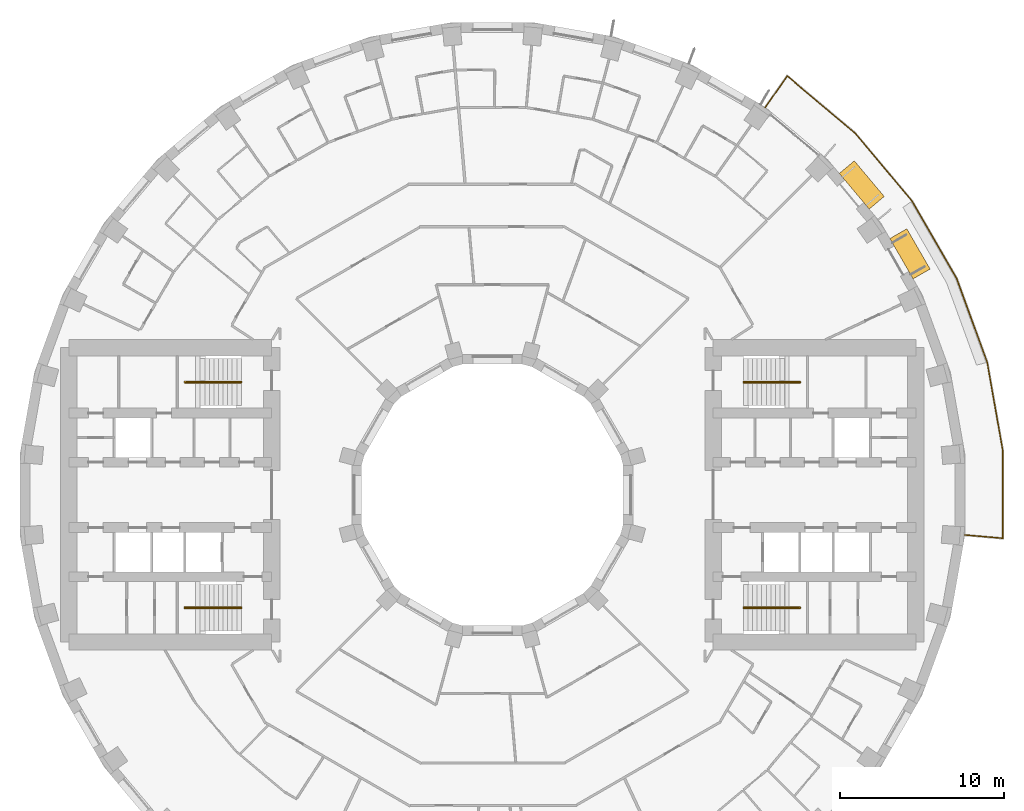
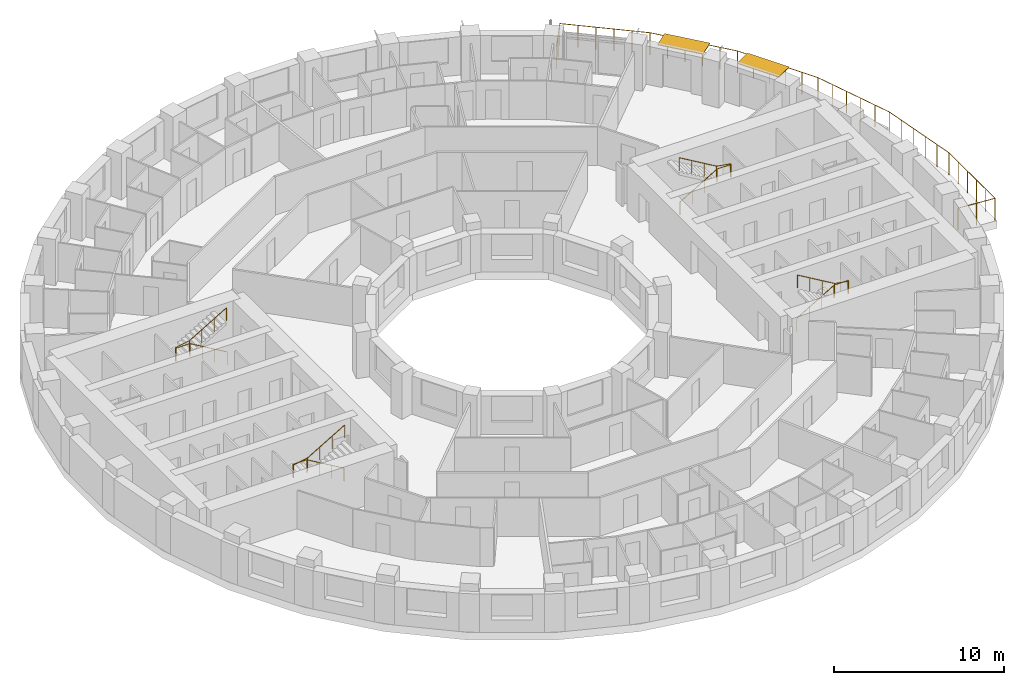
# One storey, part 15 of 15: 5 railings, 2 shading devices.
"""IFC4 building model written with IfcOpenShell, lengths in metres."""

from ifc_helpers import new_model, si_unit, direction, frame, origin, origin_2d, place, context, subcontext, project, spatial, rectangle, circle, extrude, material, layer, layer_set, type_object, element, save


model = new_model("IFC4")

# Units and contexts
model_context = context("Model", 3, precision=1e-05, world=origin(), true_north=direction((0.0, 1.0)))
body_context = subcontext(model_context, "Body", "Model", "MODEL_VIEW")
ifc_project = project(units=[si_unit("LENGTHUNIT", "METRE"), si_unit("AREAUNIT", "SQUARE_METRE"), si_unit("VOLUMEUNIT", "CUBIC_METRE"), si_unit("PLANEANGLEUNIT", "RADIAN"), si_unit("MASSUNIT", "GRAM", prefix="KILO")], contexts=[model_context])

# Site, building, storey
site_placement = place(None, origin())
site = spatial("IfcSite", under=ifc_project, at=site_placement, CompositionType="ELEMENT")
building_placement = place(site_placement, origin())
building = spatial("IfcBuilding", under=site, at=building_placement, Name="Saqina Gate Tower", CompositionType="ELEMENT")
storey_placement = place(building_placement, frame((0.0, 0.0, 62.60009765625)))
storey = spatial("IfcBuildingStorey", under=building, at=storey_placement, Name="L17", CompositionType="ELEMENT", Elevation=62.60009765625)

# Shading devices
ifc_material_1 = material(Name="Aluminium and fabric awning", Category="aluminium")
ifc_layer = layer(ifc_material_1, 0.050048828125)
ifc_layer_set = layer_set([ifc_layer], Name="AW-TERRACE")
shading_device_type = type_object("IfcShadingDeviceType", Name="AW-TERRACE", PredefinedType="AWNING", material=ifc_layer_set)
for number, where, z_axis, x_axis, name in (
    (1, (25.538818359375, 14.744873046875, 2.52490234375), (0.0, 0.0, 1.0), (-0.5, 0.866025403784, 0.0), "Terrace awning L17 facet 3"),
    (2, (22.59033203125, 18.95556640625, 2.52490234375), (0.0, 0.0, 1.0), (-0.642787609687, 0.766044443119, 0.0), "Terrace awning L17 facet 4"),
):
    element("IfcShadingDevice", number, at=place(storey_placement, frame(where, z_axis=z_axis, x_axis=x_axis)), inside=storey, type_object=shading_device_type, Name=name, PredefinedType="AWNING", context=body_context, shape_type="SweptSolid", body=[
        extrude(rectangle(XDim=2.845703125, YDim=1.199951171875, at=origin_2d()), origin(), (0.0, 0.0, 1.0), 0.050048828125),
    ])

# Railings
ifc_material_2 = material(Name="Stainless steel", Category="steel")
railing_type_1 = type_object("IfcRailingType", Name="RL-TERRACE", PredefinedType="GUARDRAIL", material=ifc_material_2)
railing_1_placement = place(storey_placement, frame((28.8369140625, -2.442626953125, 0.0)))
element("IfcRailing", 3, at=railing_1_placement, inside=storey, type_object=railing_type_1, Name="Terrace guard L17", PredefinedType="GUARDRAIL", context=body_context, shape_type="SweptSolid", body=[
    extrude(circle(Radius=0.02392578125, at=origin_2d()), frame((0.0, 0.0, 1.576171875), z_axis=(0.996192497087, -0.087180896688, 0.0), x_axis=(0.087180896688, 0.996192497087, 0.0)), (0.0, 0.0, 1.0), 2.388671875),
    extrude(circle(Radius=0.02392578125, at=origin_2d()), frame((2.379638671875, -0.208251953125, 1.576171875), z_axis=(-0.001270301126, 0.999999193167, 0.0), x_axis=(-0.999999193167, -0.001270301126, 0.0)), (0.0, 0.0, 1.0), 5.38134765625),
    extrude(circle(Radius=0.02392578125, at=origin_2d()), frame((2.372802734375, 5.173095703125, 1.576171875), z_axis=(-0.17364250929, 0.984808752483, 0.0), x_axis=(-0.984808752483, -0.17364250929, 0.0)), (0.0, 0.0, 1.0), 5.4609375),
    extrude(circle(Radius=0.02392578125, at=origin_2d()), frame((1.424560546875, 10.551025390625, 1.576171875), z_axis=(-0.342048157644, 0.939682423935, 0.0), x_axis=(-0.939682423935, -0.342048157644, 0.0)), (0.0, 0.0, 1.0), 5.4609375),
    extrude(circle(Radius=0.02392578125, at=origin_2d()), frame((-0.443359375, 15.6826171875, 1.576171875), z_axis=(-0.499985602051, 0.866033716285, 0.0), x_axis=(-0.866033716285, -0.499985602051, 0.0)), (0.0, 0.0, 1.0), 5.461181640625),
    extrude(circle(Radius=0.02392578125, at=origin_2d()), frame((-3.173828125, 20.412109375, 1.576171875), z_axis=(-0.642788339532, 0.766043830705, 0.0), x_axis=(-0.766043830705, -0.642788339532, 0.0)), (0.0, 0.0, 1.0), 5.4609375),
    extrude(circle(Radius=0.02392578125, at=origin_2d()), frame((-6.68408203125, 24.595458984375, 1.576171875), z_axis=(-0.76521934714, 0.643769641069, 0.0), x_axis=(-0.643769641069, -0.76521934714, 0.0)), (0.0, 0.0, 1.0), 5.38134765625),
    extrude(circle(Radius=0.02392578125, at=origin_2d()), frame((-10.802001953125, 28.059814453125, 1.576171875), z_axis=(-0.573565229124, -0.819159891559, 0.0), x_axis=(0.819159891559, -0.573565229124, 0.0)), (0.0, 0.0, 1.0), 2.388671875),
    extrude(circle(Radius=0.02099609375, at=origin_2d()), origin(), (0.0, 0.0, 1.0), 1.552001953125),
    extrude(circle(Radius=0.02099609375, at=origin_2d()), frame((1.18994140625, -0.10400390625, 0.0)), (0.0, 0.0, 1.0), 1.552001953125),
    extrude(circle(Radius=0.02099609375, at=origin_2d()), frame((2.379638671875, -0.208251953125, 0.0)), (0.0, 0.0, 1.0), 1.552001953125),
    extrude(circle(Radius=0.02099609375, at=origin_2d()), frame((2.378173828125, 0.867919921875, 0.0)), (0.0, 0.0, 1.0), 1.552001953125),
    extrude(circle(Radius=0.02099609375, at=origin_2d()), frame((2.376953125, 1.9443359375, 0.0)), (0.0, 0.0, 1.0), 1.552001953125),
    extrude(circle(Radius=0.02099609375, at=origin_2d()), frame((2.37548828125, 3.0205078125, 0.0)), (0.0, 0.0, 1.0), 1.552001953125),
    extrude(circle(Radius=0.02099609375, at=origin_2d()), frame((2.374267578125, 4.096923828125, 0.0)), (0.0, 0.0, 1.0), 1.552001953125),
    extrude(circle(Radius=0.02099609375, at=origin_2d()), frame((2.372802734375, 5.173095703125, 0.0)), (0.0, 0.0, 1.0), 1.552001953125),
    extrude(circle(Radius=0.02099609375, at=origin_2d()), frame((2.18310546875, 6.248779296875, 0.0)), (0.0, 0.0, 1.0), 1.552001953125),
    extrude(circle(Radius=0.02099609375, at=origin_2d()), frame((1.993408203125, 7.32421875, 0.0)), (0.0, 0.0, 1.0), 1.552001953125),
    extrude(circle(Radius=0.02099609375, at=origin_2d()), frame((1.803955078125, 8.39990234375, 0.0)), (0.0, 0.0, 1.0), 1.552001953125),
    extrude(circle(Radius=0.02099609375, at=origin_2d()), frame((1.6142578125, 9.475341796875, 0.0)), (0.0, 0.0, 1.0), 1.552001953125),
    extrude(circle(Radius=0.02099609375, at=origin_2d()), frame((1.424560546875, 10.551025390625, 0.0)), (0.0, 0.0, 1.0), 1.552001953125),
    extrude(circle(Radius=0.02099609375, at=origin_2d()), frame((1.051025390625, 11.577392578125, 0.0)), (0.0, 0.0, 1.0), 1.552001953125),
    extrude(circle(Radius=0.02099609375, at=origin_2d()), frame((0.677490234375, 12.603759765625, 0.0)), (0.0, 0.0, 1.0), 1.552001953125),
    extrude(circle(Radius=0.02099609375, at=origin_2d()), frame((0.3037109375, 13.6298828125, 0.0)), (0.0, 0.0, 1.0), 1.552001953125),
    extrude(circle(Radius=0.02099609375, at=origin_2d()), frame((-0.06982421875, 14.65625, 0.0)), (0.0, 0.0, 1.0), 1.552001953125),
    extrude(circle(Radius=0.02099609375, at=origin_2d()), frame((-0.443359375, 15.6826171875, 0.0)), (0.0, 0.0, 1.0), 1.552001953125),
    extrude(circle(Radius=0.02099609375, at=origin_2d()), frame((-0.989501953125, 16.62841796875, 0.0)), (0.0, 0.0, 1.0), 1.552001953125),
    extrude(circle(Radius=0.02099609375, at=origin_2d()), frame((-1.53564453125, 17.574462890625, 0.0)), (0.0, 0.0, 1.0), 1.552001953125),
    extrude(circle(Radius=0.02099609375, at=origin_2d()), frame((-2.08154296875, 18.520263671875, 0.0)), (0.0, 0.0, 1.0), 1.552001953125),
    extrude(circle(Radius=0.02099609375, at=origin_2d()), frame((-2.627685546875, 19.46630859375, 0.0)), (0.0, 0.0, 1.0), 1.552001953125),
    extrude(circle(Radius=0.02099609375, at=origin_2d()), frame((-3.173828125, 20.412109375, 0.0)), (0.0, 0.0, 1.0), 1.552001953125),
    extrude(circle(Radius=0.02099609375, at=origin_2d()), frame((-3.8759765625, 21.248779296875, 0.0)), (0.0, 0.0, 1.0), 1.552001953125),
    extrude(circle(Radius=0.02099609375, at=origin_2d()), frame((-4.577880859375, 22.08544921875, 0.0)), (0.0, 0.0, 1.0), 1.552001953125),
    extrude(circle(Radius=0.02099609375, at=origin_2d()), frame((-5.280029296875, 22.922119140625, 0.0)), (0.0, 0.0, 1.0), 1.552001953125),
    extrude(circle(Radius=0.02099609375, at=origin_2d()), frame((-5.98193359375, 23.7587890625, 0.0)), (0.0, 0.0, 1.0), 1.552001953125),
    extrude(circle(Radius=0.02099609375, at=origin_2d()), frame((-6.68408203125, 24.595458984375, 0.0)), (0.0, 0.0, 1.0), 1.552001953125),
    extrude(circle(Radius=0.02099609375, at=origin_2d()), frame((-7.507568359375, 25.288330078125, 0.0)), (0.0, 0.0, 1.0), 1.552001953125),
    extrude(circle(Radius=0.02099609375, at=origin_2d()), frame((-8.331298828125, 25.981201171875, 0.0)), (0.0, 0.0, 1.0), 1.552001953125),
    extrude(circle(Radius=0.02099609375, at=origin_2d()), frame((-9.15478515625, 26.674072265625, 0.0)), (0.0, 0.0, 1.0), 1.552001953125),
    extrude(circle(Radius=0.02099609375, at=origin_2d()), frame((-9.978515625, 27.366943359375, 0.0)), (0.0, 0.0, 1.0), 1.552001953125),
    extrude(circle(Radius=0.02099609375, at=origin_2d()), frame((-10.802001953125, 28.059814453125, 0.0)), (0.0, 0.0, 1.0), 1.552001953125),
    extrude(circle(Radius=0.02099609375, at=origin_2d()), frame((-11.487060546875, 27.08154296875, 0.0)), (0.0, 0.0, 1.0), 1.552001953125),
    extrude(circle(Radius=0.02099609375, at=origin_2d()), frame((-12.172119140625, 26.10302734375, 0.0)), (0.0, 0.0, 1.0), 1.552001953125),
])
ifc_material_3 = material(Name="Stainless steel", Category="steel")
railing_type_2 = type_object("IfcRailingType", Name="STAIR HANDRAIL", PredefinedType="HANDRAIL", material=ifc_material_3)
railing_2_placement = place(storey_placement, frame((15.35009765625, 6.86669921875, 0.164794921875)))
element("IfcRailing", 4, at=railing_2_placement, inside=storey, type_object=railing_type_2, Name="EXIT STAIR 1 HANDRAIL", PredefinedType="HANDRAIL", context=body_context, shape_type="SweptSolid", body=[
    extrude(circle(Radius=0.02392578125, at=origin_2d()), frame((0.0, 0.0, 0.92578125), z_axis=(0.86152411907, 0.0, 0.507716645641), x_axis=(0.0, 1.0, 0.0)), (0.0, 0.0, 1.0), 2.925048828125),
    extrude(circle(Radius=0.02392578125, at=origin_2d()), frame((2.52001953125, 0.0, 2.4111328125), z_axis=(1.0, 0.0, 0.0), x_axis=(0.0, 1.0, 0.0)), (0.0, 0.0, 1.0), 0.949951171875),
    extrude(circle(Radius=0.02392578125, at=origin_2d()), frame((3.469970703125, 0.0, 2.4111328125), z_axis=(0.0, 1.0, 0.0), x_axis=(-1.0, 0.0, 0.0)), (0.0, 0.0, 1.0), 0.066650390625),
    extrude(circle(Radius=0.02392578125, at=origin_2d()), frame((3.469970703125, 0.066650390625, 2.4111328125), z_axis=(-0.985241474778, 0.0, 0.171170197109), x_axis=(0.0, -1.0, 0.0)), (0.0, 0.0, 1.0), 0.964111328125),
    extrude(circle(Radius=0.02392578125, at=origin_2d()), frame((2.52001953125, 0.066650390625, 2.576171875), z_axis=(-0.861560626758, 0.0, 0.507654692109), x_axis=(0.0, -1.0, 0.0)), (0.0, 0.0, 1.0), 2.925048828125),
    extrude(circle(Radius=0.02099609375, at=origin_2d()), origin(), (0.0, 0.0, 1.0), 0.90185546875),
    extrude(circle(Radius=0.02099609375, at=origin_2d()), frame((0.840087890625, 0.0, 0.4951171875)), (0.0, 0.0, 1.0), 0.90185546875),
    extrude(circle(Radius=0.02099609375, at=origin_2d()), frame((1.679931640625, 0.0, 0.989990234375)), (0.0, 0.0, 1.0), 0.90185546875),
    extrude(circle(Radius=0.02099609375, at=origin_2d()), frame((2.52001953125, 0.0, 1.485107421875)), (0.0, 0.0, 1.0), 0.90185546875),
    extrude(circle(Radius=0.02099609375, at=origin_2d()), frame((3.469970703125, 0.0, 1.485107421875)), (0.0, 0.0, 1.0), 0.90185546875),
    extrude(circle(Radius=0.02099609375, at=origin_2d()), frame((3.469970703125, 0.066650390625, 1.485107421875)), (0.0, 0.0, 1.0), 0.90185546875),
    extrude(circle(Radius=0.02099609375, at=origin_2d()), frame((2.52001953125, 0.066650390625, 1.650146484375)), (0.0, 0.0, 1.0), 0.90185546875),
    extrude(circle(Radius=0.02099609375, at=origin_2d()), frame((1.679931640625, 0.066650390625, 2.14501953125)), (0.0, 0.0, 1.0), 0.90185546875),
    extrude(circle(Radius=0.02099609375, at=origin_2d()), frame((0.840087890625, 0.066650390625, 2.64013671875)), (0.0, 0.0, 1.0), 0.90185546875),
    extrude(circle(Radius=0.02099609375, at=origin_2d()), frame((0.0, 0.066650390625, 3.135009765625)), (0.0, 0.0, 1.0), 0.90185546875),
])
railing_3_placement = place(storey_placement, frame((15.35009765625, -6.86669921875, 0.164794921875)))
element("IfcRailing", 5, at=railing_3_placement, inside=storey, type_object=railing_type_2, Name="EXIT STAIR 2 HANDRAIL", PredefinedType="HANDRAIL", context=body_context, shape_type="SweptSolid", body=[
    extrude(circle(Radius=0.02392578125, at=origin_2d()), frame((0.0, 0.0, 0.92578125), z_axis=(0.86152411907, 0.0, 0.507716645641), x_axis=(0.0, 1.0, 0.0)), (0.0, 0.0, 1.0), 2.925048828125),
    extrude(circle(Radius=0.02392578125, at=origin_2d()), frame((2.52001953125, 0.0, 2.4111328125), z_axis=(1.0, 0.0, 0.0), x_axis=(0.0, 1.0, 0.0)), (0.0, 0.0, 1.0), 0.949951171875),
    extrude(circle(Radius=0.02392578125, at=origin_2d()), frame((3.469970703125, 0.0, 2.4111328125), z_axis=(0.0, -1.0, 0.0), x_axis=(1.0, 0.0, 0.0)), (0.0, 0.0, 1.0), 0.066650390625),
    extrude(circle(Radius=0.02392578125, at=origin_2d()), frame((3.469970703125, -0.066650390625, 2.4111328125), z_axis=(-0.985241474778, 0.0, 0.171170197109), x_axis=(0.0, -1.0, 0.0)), (0.0, 0.0, 1.0), 0.964111328125),
    extrude(circle(Radius=0.02392578125, at=origin_2d()), frame((2.52001953125, -0.066650390625, 2.576171875), z_axis=(-0.861560626758, 0.0, 0.507654692109), x_axis=(0.0, -1.0, 0.0)), (0.0, 0.0, 1.0), 2.925048828125),
    extrude(circle(Radius=0.02099609375, at=origin_2d()), origin(), (0.0, 0.0, 1.0), 0.90185546875),
    extrude(circle(Radius=0.02099609375, at=origin_2d()), frame((0.840087890625, 0.0, 0.4951171875)), (0.0, 0.0, 1.0), 0.90185546875),
    extrude(circle(Radius=0.02099609375, at=origin_2d()), frame((1.679931640625, 0.0, 0.989990234375)), (0.0, 0.0, 1.0), 0.90185546875),
    extrude(circle(Radius=0.02099609375, at=origin_2d()), frame((2.52001953125, 0.0, 1.485107421875)), (0.0, 0.0, 1.0), 0.90185546875),
    extrude(circle(Radius=0.02099609375, at=origin_2d()), frame((3.469970703125, 0.0, 1.485107421875)), (0.0, 0.0, 1.0), 0.90185546875),
    extrude(circle(Radius=0.02099609375, at=origin_2d()), frame((3.469970703125, -0.066650390625, 1.485107421875)), (0.0, 0.0, 1.0), 0.90185546875),
    extrude(circle(Radius=0.02099609375, at=origin_2d()), frame((2.52001953125, -0.066650390625, 1.650146484375)), (0.0, 0.0, 1.0), 0.90185546875),
    extrude(circle(Radius=0.02099609375, at=origin_2d()), frame((1.679931640625, -0.066650390625, 2.14501953125)), (0.0, 0.0, 1.0), 0.90185546875),
    extrude(circle(Radius=0.02099609375, at=origin_2d()), frame((0.840087890625, -0.066650390625, 2.64013671875)), (0.0, 0.0, 1.0), 0.90185546875),
    extrude(circle(Radius=0.02099609375, at=origin_2d()), frame((0.0, -0.066650390625, 3.135009765625)), (0.0, 0.0, 1.0), 0.90185546875),
])
railing_4_placement = place(storey_placement, frame((-15.35009765625, 6.86669921875, 0.164794921875)))
element("IfcRailing", 6, at=railing_4_placement, inside=storey, type_object=railing_type_2, Name="EXIT STAIR 3 HANDRAIL", PredefinedType="HANDRAIL", context=body_context, shape_type="SweptSolid", body=[
    extrude(circle(Radius=0.02392578125, at=origin_2d()), frame((0.0, 0.0, 0.92578125), z_axis=(-0.86152411907, 0.0, 0.507716645641), x_axis=(0.0, -1.0, 0.0)), (0.0, 0.0, 1.0), 2.925048828125),
    extrude(circle(Radius=0.02392578125, at=origin_2d()), frame((-2.52001953125, 0.0, 2.4111328125), z_axis=(-1.0, 0.0, 0.0), x_axis=(0.0, -1.0, 0.0)), (0.0, 0.0, 1.0), 0.949951171875),
    extrude(circle(Radius=0.02392578125, at=origin_2d()), frame((-3.469970703125, 0.0, 2.4111328125), z_axis=(0.0, 1.0, 0.0), x_axis=(-1.0, 0.0, 0.0)), (0.0, 0.0, 1.0), 0.066650390625),
    extrude(circle(Radius=0.02392578125, at=origin_2d()), frame((-3.469970703125, 0.066650390625, 2.4111328125), z_axis=(0.985241474778, 0.0, 0.171170197109), x_axis=(0.0, 1.0, 0.0)), (0.0, 0.0, 1.0), 0.964111328125),
    extrude(circle(Radius=0.02392578125, at=origin_2d()), frame((-2.52001953125, 0.066650390625, 2.576171875), z_axis=(0.861560626758, 0.0, 0.507654692109), x_axis=(0.0, 1.0, 0.0)), (0.0, 0.0, 1.0), 2.925048828125),
    extrude(circle(Radius=0.02099609375, at=origin_2d()), origin(), (0.0, 0.0, 1.0), 0.90185546875),
    extrude(circle(Radius=0.02099609375, at=origin_2d()), frame((-0.840087890625, 0.0, 0.4951171875)), (0.0, 0.0, 1.0), 0.90185546875),
    extrude(circle(Radius=0.02099609375, at=origin_2d()), frame((-1.679931640625, 0.0, 0.989990234375)), (0.0, 0.0, 1.0), 0.90185546875),
    extrude(circle(Radius=0.02099609375, at=origin_2d()), frame((-2.52001953125, 0.0, 1.485107421875)), (0.0, 0.0, 1.0), 0.90185546875),
    extrude(circle(Radius=0.02099609375, at=origin_2d()), frame((-3.469970703125, 0.0, 1.485107421875)), (0.0, 0.0, 1.0), 0.90185546875),
    extrude(circle(Radius=0.02099609375, at=origin_2d()), frame((-3.469970703125, 0.066650390625, 1.485107421875)), (0.0, 0.0, 1.0), 0.90185546875),
    extrude(circle(Radius=0.02099609375, at=origin_2d()), frame((-2.52001953125, 0.066650390625, 1.650146484375)), (0.0, 0.0, 1.0), 0.90185546875),
    extrude(circle(Radius=0.02099609375, at=origin_2d()), frame((-1.679931640625, 0.066650390625, 2.14501953125)), (0.0, 0.0, 1.0), 0.90185546875),
    extrude(circle(Radius=0.02099609375, at=origin_2d()), frame((-0.840087890625, 0.066650390625, 2.64013671875)), (0.0, 0.0, 1.0), 0.90185546875),
    extrude(circle(Radius=0.02099609375, at=origin_2d()), frame((0.0, 0.066650390625, 3.135009765625)), (0.0, 0.0, 1.0), 0.90185546875),
])
railing_5_placement = place(storey_placement, frame((-15.35009765625, -6.86669921875, 0.164794921875)))
element("IfcRailing", 7, at=railing_5_placement, inside=storey, type_object=railing_type_2, Name="EXIT STAIR 4 HANDRAIL", PredefinedType="HANDRAIL", context=body_context, shape_type="SweptSolid", body=[
    extrude(circle(Radius=0.02392578125, at=origin_2d()), frame((0.0, 0.0, 0.92578125), z_axis=(-0.86152411907, 0.0, 0.507716645641), x_axis=(0.0, -1.0, 0.0)), (0.0, 0.0, 1.0), 2.925048828125),
    extrude(circle(Radius=0.02392578125, at=origin_2d()), frame((-2.52001953125, 0.0, 2.4111328125), z_axis=(-1.0, 0.0, 0.0), x_axis=(0.0, -1.0, 0.0)), (0.0, 0.0, 1.0), 0.949951171875),
    extrude(circle(Radius=0.02392578125, at=origin_2d()), frame((-3.469970703125, 0.0, 2.4111328125), z_axis=(0.0, -1.0, 0.0), x_axis=(1.0, 0.0, 0.0)), (0.0, 0.0, 1.0), 0.066650390625),
    extrude(circle(Radius=0.02392578125, at=origin_2d()), frame((-3.469970703125, -0.066650390625, 2.4111328125), z_axis=(0.985241474778, 0.0, 0.171170197109), x_axis=(0.0, 1.0, 0.0)), (0.0, 0.0, 1.0), 0.964111328125),
    extrude(circle(Radius=0.02392578125, at=origin_2d()), frame((-2.52001953125, -0.066650390625, 2.576171875), z_axis=(0.861560626758, 0.0, 0.507654692109), x_axis=(0.0, 1.0, 0.0)), (0.0, 0.0, 1.0), 2.925048828125),
    extrude(circle(Radius=0.02099609375, at=origin_2d()), origin(), (0.0, 0.0, 1.0), 0.90185546875),
    extrude(circle(Radius=0.02099609375, at=origin_2d()), frame((-0.840087890625, 0.0, 0.4951171875)), (0.0, 0.0, 1.0), 0.90185546875),
    extrude(circle(Radius=0.02099609375, at=origin_2d()), frame((-1.679931640625, 0.0, 0.989990234375)), (0.0, 0.0, 1.0), 0.90185546875),
    extrude(circle(Radius=0.02099609375, at=origin_2d()), frame((-2.52001953125, 0.0, 1.485107421875)), (0.0, 0.0, 1.0), 0.90185546875),
    extrude(circle(Radius=0.02099609375, at=origin_2d()), frame((-3.469970703125, 0.0, 1.485107421875)), (0.0, 0.0, 1.0), 0.90185546875),
    extrude(circle(Radius=0.02099609375, at=origin_2d()), frame((-3.469970703125, -0.066650390625, 1.485107421875)), (0.0, 0.0, 1.0), 0.90185546875),
    extrude(circle(Radius=0.02099609375, at=origin_2d()), frame((-2.52001953125, -0.066650390625, 1.650146484375)), (0.0, 0.0, 1.0), 0.90185546875),
    extrude(circle(Radius=0.02099609375, at=origin_2d()), frame((-1.679931640625, -0.066650390625, 2.14501953125)), (0.0, 0.0, 1.0), 0.90185546875),
    extrude(circle(Radius=0.02099609375, at=origin_2d()), frame((-0.840087890625, -0.066650390625, 2.64013671875)), (0.0, 0.0, 1.0), 0.90185546875),
    extrude(circle(Radius=0.02099609375, at=origin_2d()), frame((0.0, -0.066650390625, 3.135009765625)), (0.0, 0.0, 1.0), 0.90185546875),
])

save(model, "model.ifc")
